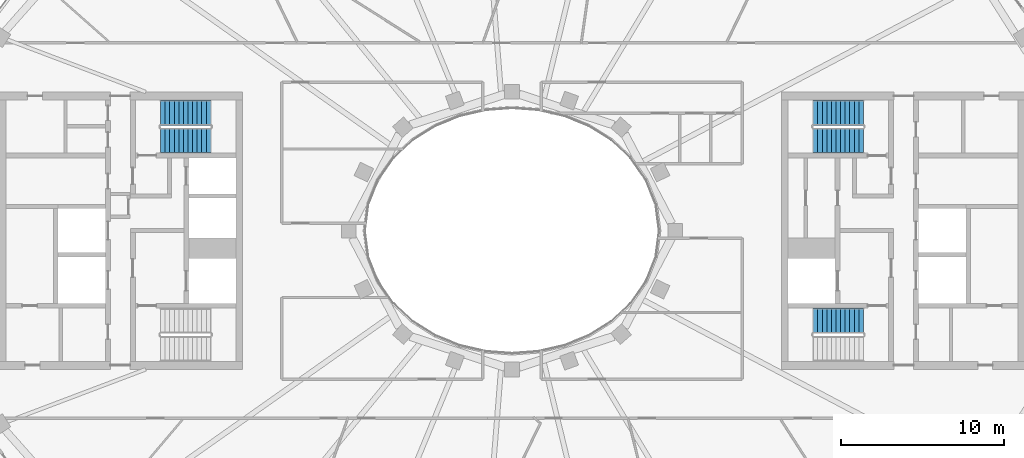
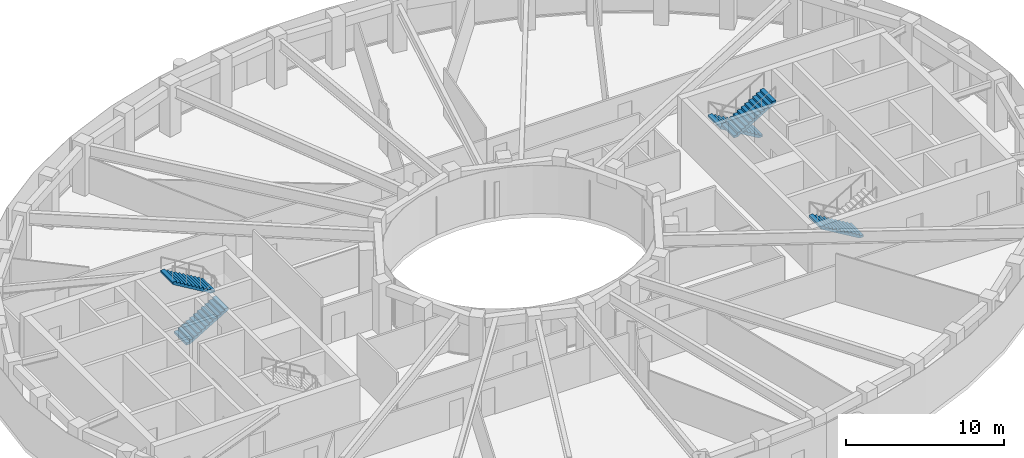
# One storey, part 7 of 16: 5 stair flights, 3 elements without a shape of their own.
"""IFC4 building model written with IfcOpenShell, lengths in metres."""

from ifc_helpers import new_model, si_unit, direction, frame, origin, place, context, subcontext, project, spatial, polyline, outline, extrude, material, type_object, element, aggregate, save


model = new_model("IFC4")

# Units and contexts
model_context = context("Model", 3, precision=1e-05, world=origin(), true_north=direction((0.0, 1.0)))
body_context = subcontext(model_context, "Body", "Model", "MODEL_VIEW")
ifc_project = project(units=[si_unit("LENGTHUNIT", "METRE"), si_unit("AREAUNIT", "SQUARE_METRE"), si_unit("VOLUMEUNIT", "CUBIC_METRE"), si_unit("PLANEANGLEUNIT", "RADIAN"), si_unit("MASSUNIT", "GRAM", prefix="KILO")], contexts=[model_context])

# Site, building, storey
site_placement = place(None, origin())
site = spatial("IfcSite", under=ifc_project, at=site_placement, CompositionType="ELEMENT")
building_placement = place(site_placement, origin())
building = spatial("IfcBuilding", under=site, at=building_placement, Name="Noorbagh Ring Tower", CompositionType="ELEMENT")
storey_placement = place(building_placement, frame((0.0, 0.0, 299.0)))
storey = spatial("IfcBuildingStorey", under=building, at=storey_placement, Name="L64", CompositionType="ELEMENT", Elevation=299.0)

# Stair, stair flights
ifc_material_1 = material(Name="Concrete C40/50", Category="concrete")
stair_type = type_object("IfcStairType", Name="CORE-STAIR", PredefinedType="HALF_TURN_STAIR", material=ifc_material_1)
stair_1_placement = place(storey_placement, origin())
stair_1 = element("IfcStair", 1, at=stair_1_placement, inside=storey, type_object=stair_type, Name="L64 Exit stair ST1", PredefinedType="HALF_TURN_STAIR")
ifc_material_2 = material(Name="Concrete C40/50", Category="concrete")
stair_flight_type = type_object("IfcStairFlightType", Name="CORE-STAIR-FLIGHT", PredefinedType="STRAIGHT", material=ifc_material_2)
stair_flight_1_placement = place(storey_placement, frame((-21.530029296875, 5.52490234375, 0.0), z_axis=(0.0, 0.0, 1.0), x_axis=(1.0, 0.0, 0.0)))
stair_flight_1 = element("IfcStairFlight", 2, at=stair_flight_1_placement, type_object=stair_flight_type, Name="ST1 flight 1", NumberOfRisers=12, NumberOfTreads=11, PredefinedType="STRAIGHT", RiserHeight=0.166666667, TreadLength=0.28, context=body_context, shape_type="SweptSolid", body=[
    extrude(outline(polyline([(0.0, 0.0), (0.0, 0.166748046875), (0.280029296875, 0.166748046875), (0.280029296875, 0.333251953125), (0.56005859375, 0.333251953125), (0.56005859375, 0.5), (0.840087890625, 0.5), (0.840087890625, 0.666748046875), (1.1201171875, 0.666748046875), (1.1201171875, 0.833251953125), (1.39990234375, 0.833251953125), (1.39990234375, 1.0), (1.679931640625, 1.0), (1.679931640625, 1.166748046875), (1.9599609375, 1.166748046875), (1.9599609375, 1.333251953125), (2.239990234375, 1.333251953125), (2.239990234375, 1.5), (2.52001953125, 1.5), (2.52001953125, 1.666748046875), (2.800048828125, 1.666748046875), (2.800048828125, 1.833251953125), (3.080078125, 1.833251953125), (3.080078125, 2.0), (3.080078125, 1.658935546875), (0.29296875, 0.0), (0.0, 0.0)])), frame((0.0, 0.77490234375, 0.0), z_axis=(0.0, -1.0, 0.0), x_axis=(1.0, 0.0, 0.0)), (0.0, 0.0, 1.0), 1.550048828125),
])
stair_flight_2_placement = place(storey_placement, frame((-18.449951171875, 7.22509765625, 2.0), z_axis=(0.0, 0.0, 1.0), x_axis=(-1.0, 0.0, 0.0)))
stair_flight_2 = element("IfcStairFlight", 3, at=stair_flight_2_placement, type_object=stair_flight_type, Name="ST1 flight 2", NumberOfRisers=12, NumberOfTreads=11, PredefinedType="STRAIGHT", RiserHeight=0.166666667, TreadLength=0.28, context=body_context, shape_type="SweptSolid", body=[
    extrude(outline(polyline([(0.0, 0.0), (0.0, 0.166748046875), (0.280029296875, 0.166748046875), (0.280029296875, 0.333251953125), (0.56005859375, 0.333251953125), (0.56005859375, 0.5), (0.840087890625, 0.5), (0.840087890625, 0.666748046875), (1.1201171875, 0.666748046875), (1.1201171875, 0.833251953125), (1.39990234375, 0.833251953125), (1.39990234375, 1.0), (1.679931640625, 1.0), (1.679931640625, 1.166748046875), (1.9599609375, 1.166748046875), (1.9599609375, 1.333251953125), (2.239990234375, 1.333251953125), (2.239990234375, 1.5), (2.52001953125, 1.5), (2.52001953125, 1.666748046875), (2.800048828125, 1.666748046875), (2.800048828125, 1.833251953125), (3.080078125, 1.833251953125), (3.080078125, 2.0), (3.080078125, 1.658935546875), (0.29296875, 0.0), (0.0, 0.0)])), frame((0.0, 0.77490234375, 0.0), z_axis=(0.0, -1.0, 0.0), x_axis=(1.0, 0.0, 0.0)), (0.0, 0.0, 1.0), 1.550048828125),
])
aggregate(stair_1, [stair_flight_1, stair_flight_2])

stair_2_placement = place(storey_placement, origin())
stair_2 = element("IfcStair", 4, at=stair_2_placement, inside=storey, type_object=stair_type, Name="L64 Exit stair ST3", PredefinedType="HALF_TURN_STAIR")
stair_flight_3_placement = place(storey_placement, frame((21.530029296875, 7.22509765625, 0.0), z_axis=(0.0, 0.0, 1.0), x_axis=(-1.0, 0.0, 0.0)))
stair_flight_3 = element("IfcStairFlight", 5, at=stair_flight_3_placement, type_object=stair_flight_type, Name="ST3 flight 1", NumberOfRisers=12, NumberOfTreads=11, PredefinedType="STRAIGHT", RiserHeight=0.166666667, TreadLength=0.28, context=body_context, shape_type="SweptSolid", body=[
    extrude(outline(polyline([(0.0, 0.0), (0.0, 0.166748046875), (0.280029296875, 0.166748046875), (0.280029296875, 0.333251953125), (0.56005859375, 0.333251953125), (0.56005859375, 0.5), (0.840087890625, 0.5), (0.840087890625, 0.666748046875), (1.1201171875, 0.666748046875), (1.1201171875, 0.833251953125), (1.39990234375, 0.833251953125), (1.39990234375, 1.0), (1.679931640625, 1.0), (1.679931640625, 1.166748046875), (1.9599609375, 1.166748046875), (1.9599609375, 1.333251953125), (2.239990234375, 1.333251953125), (2.239990234375, 1.5), (2.52001953125, 1.5), (2.52001953125, 1.666748046875), (2.800048828125, 1.666748046875), (2.800048828125, 1.833251953125), (3.080078125, 1.833251953125), (3.080078125, 2.0), (3.080078125, 1.658935546875), (0.29296875, 0.0), (0.0, 0.0)])), frame((0.0, 0.77490234375, 0.0), z_axis=(0.0, -1.0, 0.0), x_axis=(1.0, 0.0, 0.0)), (0.0, 0.0, 1.0), 1.550048828125),
])
stair_flight_4_placement = place(storey_placement, frame((18.449951171875, 5.52490234375, 2.0), z_axis=(0.0, 0.0, 1.0), x_axis=(1.0, 0.0, 0.0)))
stair_flight_4 = element("IfcStairFlight", 6, at=stair_flight_4_placement, type_object=stair_flight_type, Name="ST3 flight 2", NumberOfRisers=12, NumberOfTreads=11, PredefinedType="STRAIGHT", RiserHeight=0.166666667, TreadLength=0.28, context=body_context, shape_type="SweptSolid", body=[
    extrude(outline(polyline([(0.0, 0.0), (0.0, 0.166748046875), (0.280029296875, 0.166748046875), (0.280029296875, 0.333251953125), (0.56005859375, 0.333251953125), (0.56005859375, 0.5), (0.840087890625, 0.5), (0.840087890625, 0.666748046875), (1.1201171875, 0.666748046875), (1.1201171875, 0.833251953125), (1.39990234375, 0.833251953125), (1.39990234375, 1.0), (1.679931640625, 1.0), (1.679931640625, 1.166748046875), (1.9599609375, 1.166748046875), (1.9599609375, 1.333251953125), (2.239990234375, 1.333251953125), (2.239990234375, 1.5), (2.52001953125, 1.5), (2.52001953125, 1.666748046875), (2.800048828125, 1.666748046875), (2.800048828125, 1.833251953125), (3.080078125, 1.833251953125), (3.080078125, 2.0), (3.080078125, 1.658935546875), (0.29296875, 0.0), (0.0, 0.0)])), frame((0.0, 0.77490234375, 0.0), z_axis=(0.0, -1.0, 0.0), x_axis=(1.0, 0.0, 0.0)), (0.0, 0.0, 1.0), 1.550048828125),
])
aggregate(stair_2, [stair_flight_3, stair_flight_4])

# Stair, stair flight
stair_3_placement = place(storey_placement, origin())
stair_3 = element("IfcStair", 7, at=stair_3_placement, inside=storey, type_object=stair_type, Name="L64 Exit stair ST4", PredefinedType="HALF_TURN_STAIR")
stair_flight_5_placement = place(storey_placement, frame((21.530029296875, -5.52490234375, 0.0), z_axis=(0.0, 0.0, 1.0), x_axis=(-1.0, 0.0, 0.0)))
stair_flight_5 = element("IfcStairFlight", 8, at=stair_flight_5_placement, type_object=stair_flight_type, Name="ST4 flight 1", NumberOfRisers=12, NumberOfTreads=11, PredefinedType="STRAIGHT", RiserHeight=0.166666667, TreadLength=0.28, context=body_context, shape_type="SweptSolid", body=[
    extrude(outline(polyline([(0.0, 0.0), (0.0, 0.166748046875), (0.280029296875, 0.166748046875), (0.280029296875, 0.333251953125), (0.56005859375, 0.333251953125), (0.56005859375, 0.5), (0.840087890625, 0.5), (0.840087890625, 0.666748046875), (1.1201171875, 0.666748046875), (1.1201171875, 0.833251953125), (1.39990234375, 0.833251953125), (1.39990234375, 1.0), (1.679931640625, 1.0), (1.679931640625, 1.166748046875), (1.9599609375, 1.166748046875), (1.9599609375, 1.333251953125), (2.239990234375, 1.333251953125), (2.239990234375, 1.5), (2.52001953125, 1.5), (2.52001953125, 1.666748046875), (2.800048828125, 1.666748046875), (2.800048828125, 1.833251953125), (3.080078125, 1.833251953125), (3.080078125, 2.0), (3.080078125, 1.658935546875), (0.29296875, 0.0), (0.0, 0.0)])), frame((0.0, 0.77490234375, 0.0), z_axis=(0.0, -1.0, 0.0), x_axis=(1.0, 0.0, 0.0)), (0.0, 0.0, 1.0), 1.550048828125),
])
aggregate(stair_3, [stair_flight_5])

save(model, "model.ifc")
